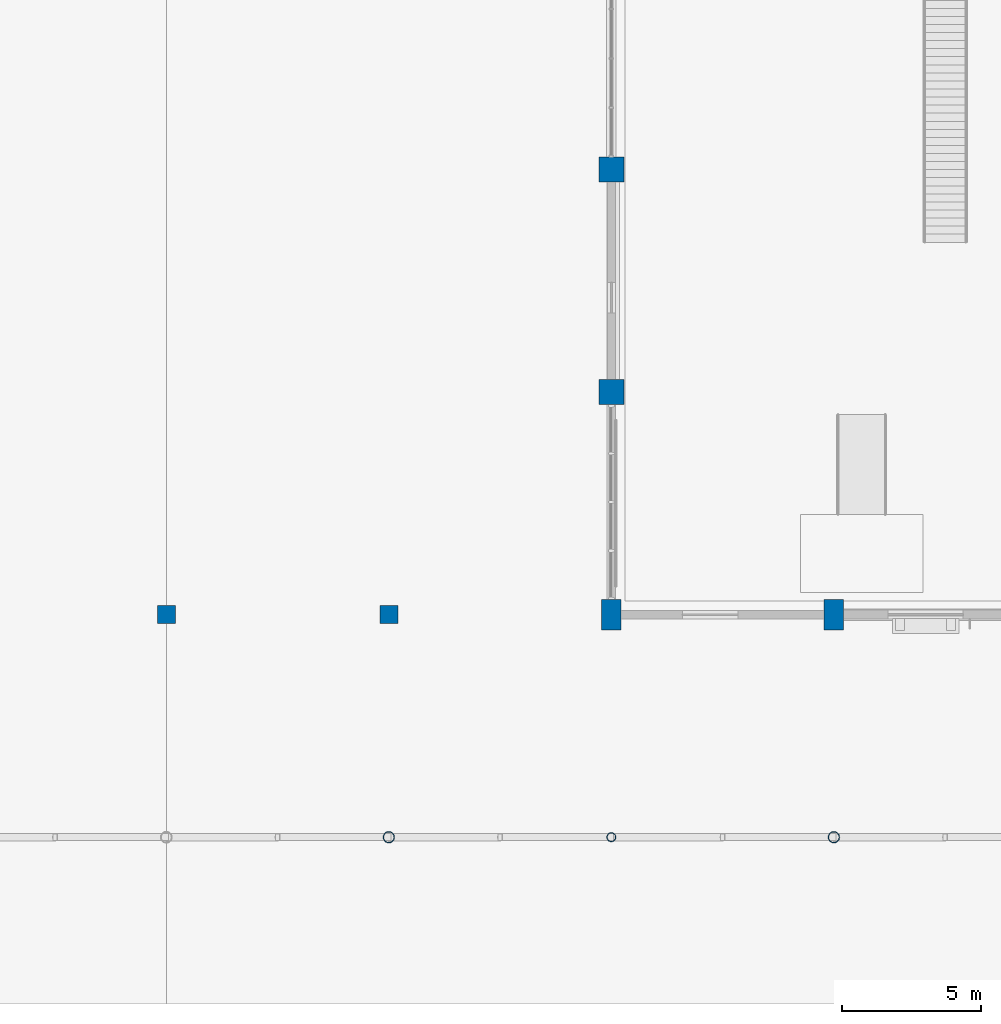
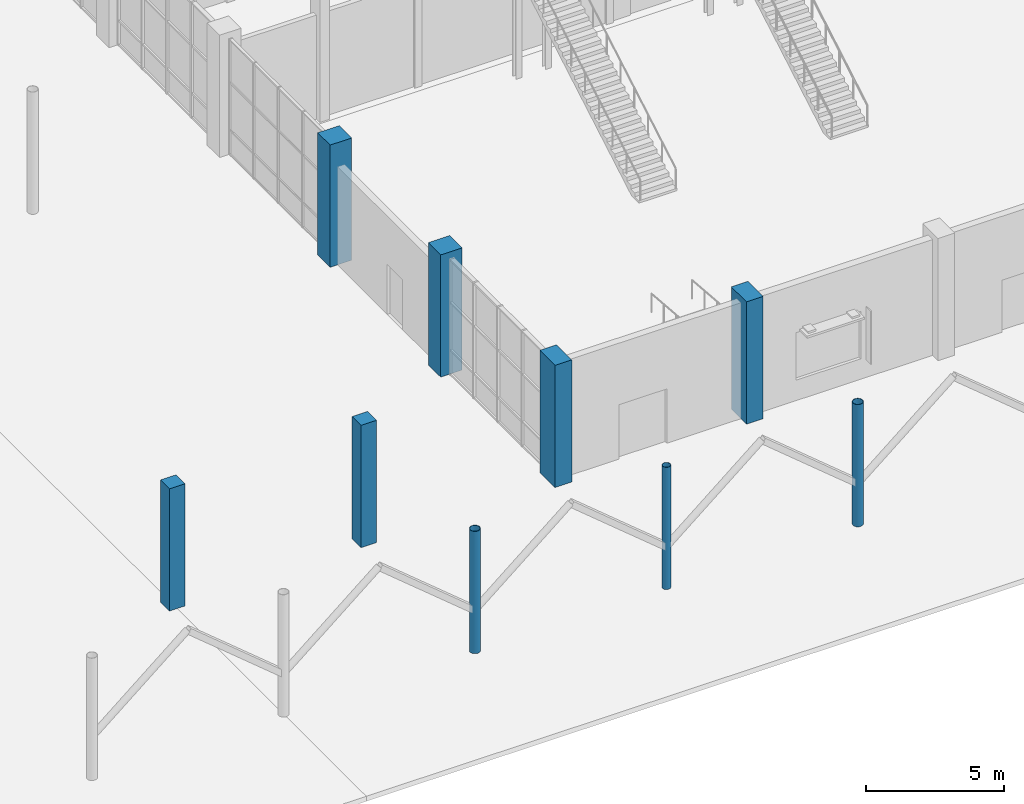
# One storey, part 8 of 123: 9 columns.
"""IFC4 building model written with IfcOpenShell, lengths in metres."""

from ifc_helpers import new_model, si_unit, direction, frame, origin, origin_2d, place, context, subcontext, project, spatial, rectangle, hollow_circle, extrude, material, material_profile, profile_set, type_object, element, save


model = new_model("IFC4")

# Units and contexts
model_context = context("Model", 3, precision=1e-05, world=origin(), true_north=direction((0.0, 1.0)))
body_context = subcontext(model_context, "Body", "Model", "MODEL_VIEW")
ifc_project = project(units=[si_unit("LENGTHUNIT", "METRE"), si_unit("AREAUNIT", "SQUARE_METRE"), si_unit("VOLUMEUNIT", "CUBIC_METRE"), si_unit("PLANEANGLEUNIT", "RADIAN"), si_unit("MASSUNIT", "GRAM", prefix="KILO")], contexts=[model_context])

# Site, building, storey
site_placement = place(None, origin())
site = spatial("IfcSite", under=ifc_project, at=site_placement, CompositionType="ELEMENT")
building_placement = place(site_placement, origin())
building = spatial("IfcBuilding", under=site, at=building_placement, Name="Tenunan Teduh Sports Hall", CompositionType="ELEMENT")
storey_placement = place(building_placement, origin())
storey = spatial("IfcBuildingStorey", under=building, at=storey_placement, Name="L00", CompositionType="ELEMENT", Elevation=0.0)

# Columns
ifc_material_1 = material(Name="Concrete C40/50", Category="concrete")
ifc_material_profile_1 = material_profile(ifc_material_1, rectangle(XDim=0.64990234375, YDim=0.64990234375, at=origin_2d()), Name="RC 650x650")
ifc_profile_set_1 = profile_set([ifc_material_profile_1], Name="Concrete C40/50")
column_type_1 = type_object("IfcColumnType", Name="COL-RC-650", PredefinedType="COLUMN", material=ifc_profile_set_1)
for number, where, z_axis, x_axis, name in (
    (1, (106.0, 14.0, 0.0), (0.0, 0.0, 1.0), (1.0, 0.0, 0.0), "COL-C-08-L00-131"),
    (2, (114.0, 14.0, 0.0), (0.0, 0.0, 1.0), (1.0, 0.0, 0.0), "COL-C-08-L00-143"),
):
    element("IfcColumn", number, at=place(storey_placement, frame(where, z_axis=z_axis, x_axis=x_axis)), inside=storey, type_object=column_type_1, Name=name, PredefinedType="COLUMN", context=body_context, shape_type="SweptSolid", body=[
        extrude(rectangle(XDim=0.64990234375, YDim=0.64990234375, at=origin_2d()), origin(), (0.0, 0.0, 1.0), 5.39990234375),
    ])
ifc_material_2 = material(Name="Concrete C40/50", Category="concrete")
ifc_material_profile_2 = material_profile(ifc_material_2, rectangle(XDim=0.699951171875, YDim=1.10009765625, at=origin_2d()), Name="RC 700x1100")
ifc_profile_set_2 = profile_set([ifc_material_profile_2], Name="Concrete C40/50")
column_type_2 = type_object("IfcColumnType", Name="COL-RC-700x1100", PredefinedType="COLUMN", material=ifc_profile_set_2)
for number, where, z_axis, x_axis, name in (
    (3, (122.0, 14.0, 0.0), (0.0, 0.0, 1.0), (1.0, 0.0, 0.0), "COL-C-15-L00-152"),
    (4, (130.0, 14.0, 0.0), (0.0, 0.0, 1.0), (1.0, 0.0, 0.0), "COL-C-15-L00-167"),
):
    element("IfcColumn", number, at=place(storey_placement, frame(where, z_axis=z_axis, x_axis=x_axis)), inside=storey, type_object=column_type_2, Name=name, PredefinedType="COLUMN", context=body_context, shape_type="SweptSolid", body=[
        extrude(rectangle(XDim=0.699951171875, YDim=1.10009765625, at=origin_2d()), origin(), (0.0, 0.0, 1.0), 5.39990234375),
    ])
ifc_material_3 = material(Name="Concrete C40/50", Category="concrete")
ifc_material_profile_3 = material_profile(ifc_material_3, rectangle(XDim=0.89990234375, YDim=0.89990234375, at=origin_2d()), Name="RC 900x900")
ifc_profile_set_3 = profile_set([ifc_material_profile_3], Name="Concrete C40/50")
column_type_3 = type_object("IfcColumnType", Name="COL-RC-900", PredefinedType="COLUMN", material=ifc_profile_set_3)
for number, where, z_axis, x_axis, name in (
    (5, (122.0, 22.0, 0.0), (0.0, 0.0, 1.0), (1.0, 0.0, 0.0), "COL-C-03-L00-153"),
    (6, (122.0, 30.0, 0.0), (0.0, 0.0, 1.0), (1.0, 0.0, 0.0), "COL-C-03-L00-154"),
):
    element("IfcColumn", number, at=place(storey_placement, frame(where, z_axis=z_axis, x_axis=x_axis)), inside=storey, type_object=column_type_3, Name=name, PredefinedType="COLUMN", context=body_context, shape_type="SweptSolid", body=[
        extrude(rectangle(XDim=0.89990234375, YDim=0.89990234375, at=origin_2d()), origin(), (0.0, 0.0, 1.0), 5.39990234375),
    ])
ifc_material_4 = material(Name="Steel S355", Category="steel")
ifc_material_profile_4 = material_profile(ifc_material_4, hollow_circle(Radius=0.161865234375, WallThickness=0.012451171875, at=origin_2d()), Name="CHS 323.9x12.5")
ifc_profile_set_4 = profile_set([ifc_material_profile_4], Name="Steel S355")
column_type_4 = type_object("IfcColumnType", Name="COL-ST-CHS324", PredefinedType="COLUMN", material=ifc_profile_set_4)
column_placement = place(storey_placement, frame((122.0, 6.0, 0.0), z_axis=(0.0, 0.0, 1.0), x_axis=(1.0, 0.0, 0.0)))
element("IfcColumn", 7, at=column_placement, inside=storey, type_object=column_type_4, Name="COL-SC-06-L00-151", PredefinedType="COLUMN", context=body_context, shape_type="SweptSolid", body=[
    extrude(hollow_circle(Radius=0.161865234375, WallThickness=0.012451171875, at=origin_2d()), origin(), (0.0, 0.0, 1.0), 5.39990234375),
])
ifc_material_5 = material(Name="Steel S355", Category="steel")
ifc_material_profile_5 = material_profile(ifc_material_5, hollow_circle(Radius=0.203125, WallThickness=0.01611328125, at=origin_2d()), Name="CHS 406.4x16.0")
ifc_profile_set_5 = profile_set([ifc_material_profile_5], Name="Steel S355")
column_type_5 = type_object("IfcColumnType", Name="COL-ST-CHS406", PredefinedType="COLUMN", material=ifc_profile_set_5)
for number, where, z_axis, x_axis, name in (
    (8, (114.0, 6.0, 0.0), (0.0, 0.0, 1.0), (1.0, 0.0, 0.0), "COL-SC-05-L00-142"),
    (9, (130.0, 6.0, 0.0), (0.0, 0.0, 1.0), (1.0, 0.0, 0.0), "COL-SC-05-L00-166"),
):
    element("IfcColumn", number, at=place(storey_placement, frame(where, z_axis=z_axis, x_axis=x_axis)), inside=storey, type_object=column_type_5, Name=name, PredefinedType="COLUMN", context=body_context, shape_type="SweptSolid", body=[
        extrude(hollow_circle(Radius=0.203125, WallThickness=0.01611328125, at=origin_2d()), origin(), (0.0, 0.0, 1.0), 5.39990234375),
    ])

save(model, "model.ifc")
